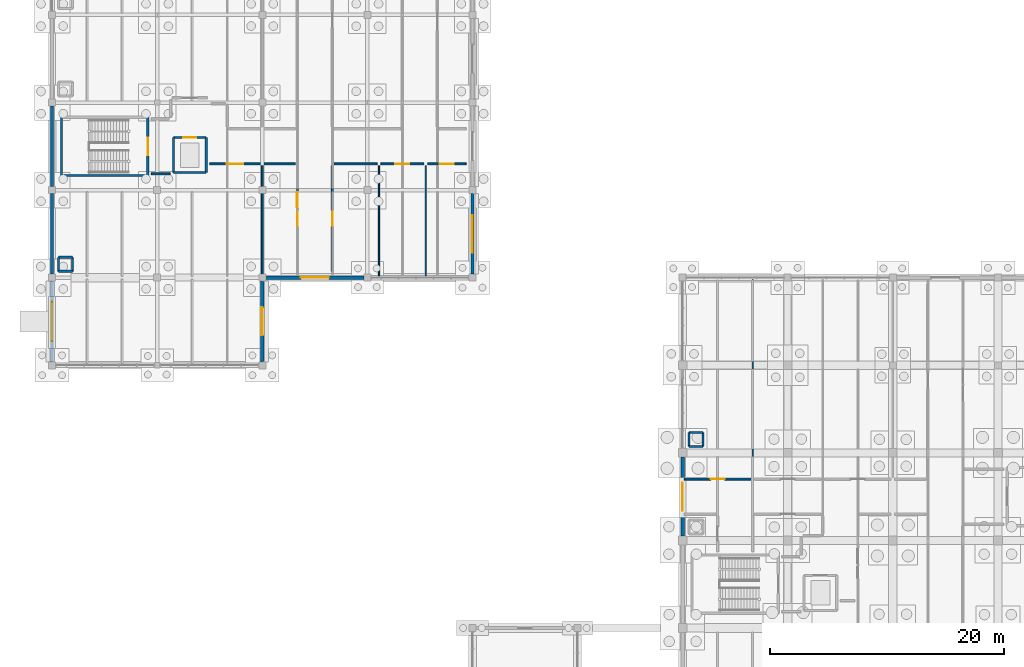
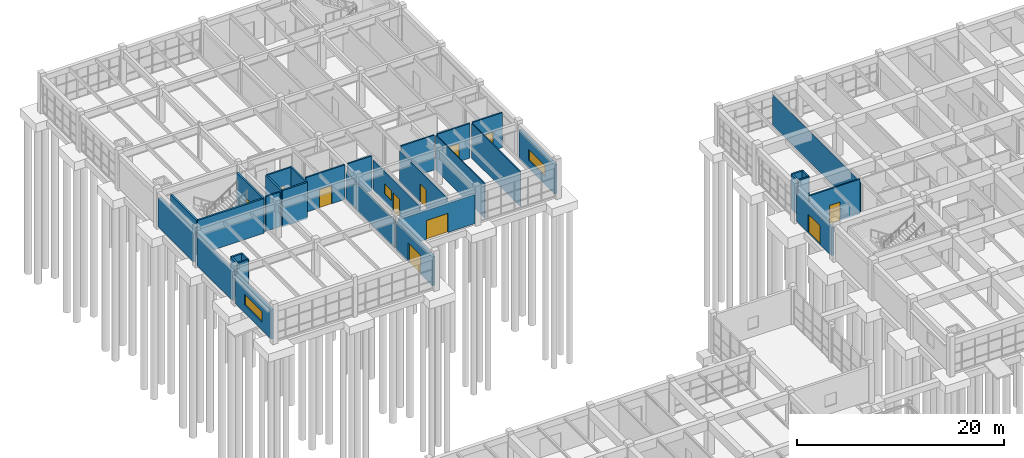
# One storey, part 84 of 93: 35 walls, 11 doors, 3 windows, 14 openings.
"""IFC4 building model written with IfcOpenShell, lengths in metres."""

from ifc_helpers import new_model, si_unit, direction, frame, frame_2d, origin, place, context, subcontext, project, spatial, rectangle, extrude, material, layer, layer_set, type_object, element, fill, save


model = new_model("IFC4")

# Units and contexts
model_context = context("Model", 3, precision=1e-05, world=origin(), true_north=direction((0.0, 1.0)))
body_context = subcontext(model_context, "Body", "Model", "MODEL_VIEW")
ifc_project = project(units=[si_unit("LENGTHUNIT", "METRE"), si_unit("AREAUNIT", "SQUARE_METRE"), si_unit("VOLUMEUNIT", "CUBIC_METRE"), si_unit("PLANEANGLEUNIT", "RADIAN"), si_unit("MASSUNIT", "GRAM", prefix="KILO")], contexts=[model_context])

# Site, building, storey
site_placement = place(None, origin())
site = spatial("IfcSite", under=ifc_project, at=site_placement, CompositionType="ELEMENT")
building_placement = place(site_placement, origin())
building = spatial("IfcBuilding", under=site, at=building_placement, Name="Marnridge Secondary College", CompositionType="ELEMENT")
storey_placement = place(building_placement, origin())
storey = spatial("IfcBuildingStorey", under=building, at=storey_placement, Name="L00", CompositionType="ELEMENT", Elevation=0.0)

# Wall
ifc_material_1 = material(Name="Concrete C40/50 (AS 3600 N40, 40 MPa)", Category="concrete")
ifc_layer_1 = layer(ifc_material_1, 0.199951171875)
ifc_layer_set_1 = layer_set([ifc_layer_1], Name="WT-CORE-RC200")
wall_type_1 = type_object("IfcWallType", Name="WT-CORE-RC200", PredefinedType="SHEAR", material=ifc_layer_set_1)
wall_1_placement = place(storey_placement, frame((0.800048828125, 91.25, 0.0), z_axis=(0.0, 0.0, 1.0), x_axis=(1.0, 0.0, 0.0)))
element("IfcWall", 1, at=wall_1_placement, inside=storey, type_object=wall_type_1, Name="Stair core shear wall WC-L00-0337", PredefinedType="SHEAR", context=body_context, shape_type="SweptSolid", body=[
    extrude(rectangle(XDim=7.39990234375, YDim=0.199951171875, at=frame_2d((3.699951171875, 0.0))), origin(), (0.0, 0.0, 1.0), 4.10009765625),
])

# Wall, opening, door
wall_2_placement = place(storey_placement, frame((8.199951171875, 96.25, 0.0), z_axis=(0.0, 0.0, 1.0), x_axis=(0.0, -1.0, 0.0)))
wall_2 = element("IfcWall", 2, at=wall_2_placement, inside=storey, type_object=wall_type_1, Name="Stair core shear wall WC-L00-0338", PredefinedType="SHEAR", context=body_context, shape_type="SweptSolid", body=[
    extrude(rectangle(XDim=5.0, YDim=0.199951171875, at=frame_2d((2.5, 0.0))), origin(), (0.0, 0.0, 1.0), 4.10009765625),
])
opening_1_placement = place(wall_2_placement, frame((1.75, 0.0, 0.0)))
opening_1 = element("IfcOpeningElement", 3, at=opening_1_placement, cuts=wall_2, Name="Opening DC-L00-023", PredefinedType="OPENING", context=body_context, shape_type="SweptSolid", body=[
    extrude(rectangle(XDim=1.5, YDim=2.14990234375, at=frame_2d((0.75, 1.074951171875))), frame((0.0, 0.10986328125, 0.0), z_axis=(0.0, -1.0, 0.0), x_axis=(1.0, 0.0, 0.0)), (0.0, 0.0, 1.0), 0.219970703125),
])
ifc_material_2 = material(Name="Fire-rated solid-core timber doorset", Category="wood")
door_type_1 = type_object("IfcDoorType", Name="DT-CORE-FD150", OperationType="DOUBLE_DOOR_SINGLE_SWING", PredefinedType="DOOR", material=ifc_material_2)
door_1_placement = place(opening_1_placement, origin())
door_1 = element("IfcDoor", 4, at=door_1_placement, inside=storey, type_object=door_type_1, Name="Fire stair door DC-L00-023", OperationType="DOUBLE_DOOR_SINGLE_SWING", OverallHeight=2.14990234375, OverallWidth=1.5, PredefinedType="DOOR", context=body_context, shape_type="SweptSolid", body=[
    extrude(rectangle(XDim=1.5, YDim=2.14990234375, at=frame_2d((0.75, 1.074951171875))), frame((0.0, 0.02490234375, 0.0), z_axis=(0.0, -1.0, 0.0), x_axis=(1.0, 0.0, 0.0)), (0.0, 0.0, 1.0), 0.050048828125),
])
fill(opening_1, door_1)

# Wall
wall_3_placement = place(storey_placement, frame((0.800048828125, 96.25, 0.0), z_axis=(0.0, 0.0, 1.0), x_axis=(0.0, -1.0, 0.0)))
element("IfcWall", 5, at=wall_3_placement, inside=storey, type_object=wall_type_1, Name="Stair core shear wall WC-L00-0340", PredefinedType="SHEAR", context=body_context, shape_type="SweptSolid", body=[
    extrude(rectangle(XDim=5.0, YDim=0.199951171875, at=frame_2d((2.5, 0.0))), origin(), (0.0, 0.0, 1.0), 4.10009765625),
])

# Wall, opening, door
ifc_material_3 = material(Name="Concrete C40/50 (AS 3600 N40, 40 MPa)", Category="concrete")
ifc_layer_2 = layer(ifc_material_3, 0.280029296875)
ifc_layer_set_2 = layer_set([ifc_layer_2], Name="WT-EXT-RC280")
wall_type_2 = type_object("IfcWallType", Name="WT-EXT-RC280", PredefinedType="SOLIDWALL", material=ifc_layer_set_2)
wall_4_placement = place(storey_placement, frame((54.0, 60.37109375, 0.0), z_axis=(0.0, 0.0, 1.0), x_axis=(0.0, 1.0, 0.0)))
wall_4 = element("IfcWall", 6, at=wall_4_placement, inside=storey, type_object=wall_type_2, Name="Exterior wall WE-L00-0012", PredefinedType="SOLIDWALL", context=body_context, shape_type="SweptSolid", body=[
    extrude(rectangle(XDim=6.7578125, YDim=0.280029296875, at=frame_2d((3.37890625, 0.0))), origin(), (0.0, 0.0, 1.0), 3.322021484375),
])
opening_2_placement = place(wall_4_placement, frame((2.178955078125, 0.0, 0.0)))
opening_2 = element("IfcOpeningElement", 7, at=opening_2_placement, cuts=wall_4, Name="Opening DE-L00-005", PredefinedType="OPENING", context=body_context, shape_type="SweptSolid", body=[
    extrude(rectangle(XDim=2.39990234375, YDim=2.199951171875, at=frame_2d((1.199951171875, 1.10009765625))), frame((0.0, 0.14990234375, 0.0), z_axis=(0.0, -1.0, 0.0), x_axis=(1.0, 0.0, 0.0)), (0.0, 0.0, 1.0), 0.300048828125),
])
ifc_material_4 = material(Name="Galvanised steel Grade 350 fire-exit doorset", Category="steel")
door_type_2 = type_object("IfcDoorType", Name="DT-EXT-STAIR240", OperationType="DOUBLE_DOOR_SINGLE_SWING", PredefinedType="DOOR", material=ifc_material_4)
door_2_placement = place(opening_2_placement, origin())
door_2 = element("IfcDoor", 8, at=door_2_placement, inside=storey, type_object=door_type_2, Name="Final exit stair door DE-L00-005", OperationType="DOUBLE_DOOR_SINGLE_SWING", OverallHeight=2.199951171875, OverallWidth=2.39990234375, PredefinedType="DOOR", context=body_context, shape_type="SweptSolid", body=[
    extrude(rectangle(XDim=2.39990234375, YDim=2.199951171875, at=frame_2d((1.199951171875, 1.10009765625))), frame((0.0, 0.02490234375, 0.0), z_axis=(0.0, -1.0, 0.0), x_axis=(1.0, 0.0, 0.0)), (0.0, 0.0, 1.0), 0.050048828125),
])
fill(opening_2, door_2)

# Wall, opening, window
wall_5_placement = place(storey_placement, frame((36.0, 89.7041015625, 0.0), z_axis=(0.0, 0.0, 1.0), x_axis=(0.0, -1.0, 0.0)))
wall_5 = element("IfcWall", 9, at=wall_5_placement, inside=storey, type_object=wall_type_2, Name="Exterior wall WE-L00-0060", PredefinedType="SOLIDWALL", context=body_context, shape_type="SweptSolid", body=[
    extrude(rectangle(XDim=6.908203125, YDim=0.280029296875, at=frame_2d((3.4541015625, 0.0))), origin(), (0.0, 0.0, 1.0), 3.44189453125),
])
opening_3_placement = place(wall_5_placement, frame((1.833984375, 0.0, 0.949951171875)))
opening_3 = element("IfcOpeningElement", 10, at=opening_3_placement, cuts=wall_5, Name="Opening WN-L00-0021", PredefinedType="OPENING", context=body_context, shape_type="SweptSolid", body=[
    extrude(rectangle(XDim=3.239990234375, YDim=1.300048828125, at=frame_2d((1.6201171875, 0.64990234375))), frame((0.0, 0.14990234375, 0.0), z_axis=(0.0, -1.0, 0.0), x_axis=(1.0, 0.0, 0.0)), (0.0, 0.0, 1.0), 0.300048828125),
])
ifc_material_5 = material(Name="Solar-control low-E double glazing", Category="glass")
window_type_1 = type_object("IfcWindowType", Name="WN-EXT-V21", PartitioningType="DOUBLE_PANEL_VERTICAL", PredefinedType="WINDOW", material=ifc_material_5)
window_1_placement = place(opening_3_placement, origin())
window_1 = element("IfcWindow", 11, at=window_1_placement, inside=storey, type_object=window_type_1, Name="Facade window WN-L00-0021", OverallHeight=1.300048828125, OverallWidth=3.239990234375, PartitioningType="DOUBLE_PANEL_VERTICAL", PredefinedType="WINDOW", context=body_context, shape_type="SweptSolid", body=[
    extrude(rectangle(XDim=3.239990234375, YDim=1.300048828125, at=frame_2d((1.6201171875, 0.64990234375))), frame((0.0, 0.030029296875, 0.0), z_axis=(0.0, -1.0, 0.0), x_axis=(1.0, 0.0, 0.0)), (0.0, 0.0, 1.0), 0.06005859375),
])
fill(opening_3, window_1)

# Wall, opening, door
wall_6_placement = place(storey_placement, frame((26.7041015625, 82.5, 0.0), z_axis=(0.0, 0.0, 1.0), x_axis=(-1.0, 0.0, 0.0)))
wall_6 = element("IfcWall", 12, at=wall_6_placement, inside=storey, type_object=wall_type_2, Name="Exterior wall WE-L00-0061", PredefinedType="SOLIDWALL", context=body_context, shape_type="SweptSolid", body=[
    extrude(rectangle(XDim=8.408203125, YDim=0.280029296875, at=frame_2d((4.2041015625, 0.0))), origin(), (0.0, 0.0, 1.0), 3.44189453125),
])
opening_4_placement = place(wall_6_placement, frame((3.00390625, 0.0, 0.0)))
opening_4 = element("IfcOpeningElement", 13, at=opening_4_placement, cuts=wall_6, Name="Opening DE-L00-020", PredefinedType="OPENING", context=body_context, shape_type="SweptSolid", body=[
    extrude(rectangle(XDim=2.39990234375, YDim=2.25, at=frame_2d((1.199951171875, 1.125))), frame((0.0, 0.14990234375, 0.0), z_axis=(0.0, -1.0, 0.0), x_axis=(1.0, 0.0, 0.0)), (0.0, 0.0, 1.0), 0.300048828125),
])
ifc_material_6 = material(Name="Thermally broken aluminium and toughened glass", Category="aluminium")
door_type_3 = type_object("IfcDoorType", Name="DT-EXT-EXIT240", OperationType="DOUBLE_DOOR_SINGLE_SWING", PredefinedType="DOOR", material=ifc_material_6)
door_3_placement = place(opening_4_placement, origin())
door_3 = element("IfcDoor", 14, at=door_3_placement, inside=storey, type_object=door_type_3, Name="Civic entrance exit door DE-L00-020", OperationType="DOUBLE_DOOR_SINGLE_SWING", OverallHeight=2.25, OverallWidth=2.39990234375, PredefinedType="DOOR", context=body_context, shape_type="SweptSolid", body=[
    extrude(rectangle(XDim=2.39990234375, YDim=2.25, at=frame_2d((1.199951171875, 1.125))), frame((0.0, 0.02490234375, 0.0), z_axis=(0.0, -1.0, 0.0), x_axis=(1.0, 0.0, 0.0)), (0.0, 0.0, 1.0), 0.050048828125),
])
fill(opening_4, door_3)

wall_7_placement = place(storey_placement, frame((18.0, 82.2041015625, 0.0), z_axis=(0.0, 0.0, 1.0), x_axis=(0.0, -1.0, 0.0)))
wall_7 = element("IfcWall", 15, at=wall_7_placement, inside=storey, type_object=wall_type_2, Name="Exterior wall WE-L00-0062", PredefinedType="SOLIDWALL", context=body_context, shape_type="SweptSolid", body=[
    extrude(rectangle(XDim=6.908203125, YDim=0.280029296875, at=frame_2d((3.4541015625, 0.0))), origin(), (0.0, 0.0, 1.0), 3.44189453125),
])
opening_5_placement = place(wall_7_placement, frame((2.25390625, 0.0, 0.0)))
opening_5 = element("IfcOpeningElement", 16, at=opening_5_placement, cuts=wall_7, Name="Opening DE-L00-021", PredefinedType="OPENING", context=body_context, shape_type="SweptSolid", body=[
    extrude(rectangle(XDim=2.39990234375, YDim=2.25, at=frame_2d((1.199951171875, 1.125))), frame((0.0, 0.14990234375, 0.0), z_axis=(0.0, -1.0, 0.0), x_axis=(1.0, 0.0, 0.0)), (0.0, 0.0, 1.0), 0.300048828125),
])
door_4_placement = place(opening_5_placement, origin())
door_4 = element("IfcDoor", 17, at=door_4_placement, inside=storey, type_object=door_type_3, Name="Civic entrance exit door DE-L00-021", OperationType="DOUBLE_DOOR_SINGLE_SWING", OverallHeight=2.25, OverallWidth=2.39990234375, PredefinedType="DOOR", context=body_context, shape_type="SweptSolid", body=[
    extrude(rectangle(XDim=2.39990234375, YDim=2.25, at=frame_2d((1.199951171875, 1.125))), frame((0.0, 0.02490234375, 0.0), z_axis=(0.0, -1.0, 0.0), x_axis=(1.0, 0.0, 0.0)), (0.0, 0.0, 1.0), 0.050048828125),
])
fill(opening_5, door_4)

# Wall, opening, window
wall_8_placement = place(storey_placement, frame((0.0, 75.2958984375, 0.0), z_axis=(0.0, 0.0, 1.0), x_axis=(0.0, 1.0, 0.0)))
wall_8 = element("IfcWall", 18, at=wall_8_placement, inside=storey, type_object=wall_type_2, Name="Exterior wall WE-L00-0063", PredefinedType="SOLIDWALL", context=body_context, shape_type="SweptSolid", body=[
    extrude(rectangle(XDim=6.908203125, YDim=0.280029296875, at=frame_2d((3.4541015625, 0.0))), origin(), (0.0, 0.0, 1.0), 3.44189453125),
])
opening_6_placement = place(wall_8_placement, frame((1.77392578125, 0.0, 0.949951171875)))
opening_6 = element("IfcOpeningElement", 19, at=opening_6_placement, cuts=wall_8, Name="Opening WN-L00-0022", PredefinedType="OPENING", context=body_context, shape_type="SweptSolid", body=[
    extrude(rectangle(XDim=3.360107421875, YDim=1.260009765625, at=frame_2d((1.68017578125, 0.6298828125))), frame((0.0, 0.14990234375, 0.0), z_axis=(0.0, -1.0, 0.0), x_axis=(1.0, 0.0, 0.0)), (0.0, 0.0, 1.0), 0.300048828125),
])
ifc_material_7 = material(Name="Solar-control low-E double glazing", Category="glass")
window_type_2 = type_object("IfcWindowType", Name="WN-EXT-V22", PartitioningType="DOUBLE_PANEL_VERTICAL", PredefinedType="WINDOW", material=ifc_material_7)
window_2_placement = place(opening_6_placement, origin())
window_2 = element("IfcWindow", 20, at=window_2_placement, inside=storey, type_object=window_type_2, Name="Facade window WN-L00-0022", OverallHeight=1.260009765625, OverallWidth=3.360107421875, PartitioningType="DOUBLE_PANEL_VERTICAL", PredefinedType="WINDOW", context=body_context, shape_type="SweptSolid", body=[
    extrude(rectangle(XDim=3.360107421875, YDim=1.260009765625, at=frame_2d((1.68017578125, 0.6298828125))), frame((0.0, 0.030029296875, 0.0), z_axis=(0.0, -1.0, 0.0), x_axis=(1.0, 0.0, 0.0)), (0.0, 0.0, 1.0), 0.06005859375),
])
fill(opening_6, window_2)

# Walls
for number, where, z_axis, x_axis, name in (
    (21, (0.0, 82.7958984375, 0.0), (0.0, 0.0, 1.0), (0.0, 1.0, 0.0), "Exterior wall WE-L00-0064"),
    (22, (0.0, 90.2958984375, 0.0), (0.0, 0.0, 1.0), (0.0, 1.0, 0.0), "Exterior wall WE-L00-0065"),
):
    element("IfcWall", number, at=place(storey_placement, frame(where, z_axis=z_axis, x_axis=x_axis)), inside=storey, type_object=wall_type_2, Name=name, PredefinedType="SOLIDWALL", context=body_context, shape_type="SweptSolid", body=[
        extrude(rectangle(XDim=6.908203125, YDim=0.280029296875, at=frame_2d((3.4541015625, 0.0))), origin(), (0.0, 0.0, 1.0), 3.44189453125),
    ])
ifc_material_8 = material(Name="Acoustic plasterboard partition Rw48", Category="gypsum")
ifc_layer_3 = layer(ifc_material_8, 0.135009765625)
ifc_layer_set_3 = layer_set([ifc_layer_3], Name="WT-PART-AC135")
wall_type_3 = type_object("IfcWallType", Name="WT-PART-AC135", PredefinedType="PARTITIONING", material=ifc_layer_set_3)
wall_9_placement = place(storey_placement, frame((18.0, 82.659912109375, 0.0), z_axis=(0.0, 0.0, 1.0), x_axis=(0.0, 1.0, 0.0)))
element("IfcWall", 23, at=wall_9_placement, inside=storey, type_object=wall_type_3, Name="Interior partition WP-L00-0092", PredefinedType="PARTITIONING", context=body_context, shape_type="SweptSolid", body=[
    extrude(rectangle(XDim=9.43017578125, YDim=0.135009765625, at=frame_2d((4.715087890625, 0.0))), origin(), (0.0, 0.0, 1.0), 3.19189453125),
])

# Wall, opening, door
ifc_material_9 = material(Name="Acoustic plasterboard on twin steel Grade 350 framing Rw55", Category="steel")
ifc_layer_4 = layer(ifc_material_9, 0.1650390625)
ifc_layer_set_4 = layer_set([ifc_layer_4], Name="WT-PART-AC165")
wall_type_4 = type_object("IfcWallType", Name="WT-PART-AC165", PredefinedType="PARTITIONING", material=ifc_layer_set_4)
wall_10_placement = place(storey_placement, frame((54.159912109375, 65.25, 0.0), z_axis=(0.0, 0.0, 1.0), x_axis=(1.0, 0.0, 0.0)))
wall_10 = element("IfcWall", 24, at=wall_10_placement, inside=storey, type_object=wall_type_4, Name="Interior partition WP-L00-0002", PredefinedType="PARTITIONING", context=body_context, shape_type="SweptSolid", body=[
    extrude(rectangle(XDim=5.68017578125, YDim=0.1650390625, at=frame_2d((2.840087890625, 0.0))), origin(), (0.0, 0.0, 1.0), 4.080078125),
])
opening_7_placement = place(wall_10_placement, frame((2.239990234375, 0.0, 0.0)))
opening_7 = element("IfcOpeningElement", 25, at=opening_7_placement, cuts=wall_10, Name="Opening DI-L00-0001", PredefinedType="OPENING", context=body_context, shape_type="SweptSolid", body=[
    extrude(rectangle(XDim=1.199951171875, YDim=2.14990234375, at=frame_2d((0.60009765625, 1.074951171875))), frame((0.0, 0.092529296875, 0.0), z_axis=(0.0, -1.0, 0.0), x_axis=(1.0, 0.0, 0.0)), (0.0, 0.0, 1.0), 0.18505859375),
])
ifc_material_10 = material(Name="Galvanised steel Grade 350 plant-room fire doorset", Category="steel")
door_type_4 = type_object("IfcDoorType", Name="DT-PLT-120", OperationType="NOTDEFINED", PredefinedType="DOOR", material=ifc_material_10)
door_5_placement = place(opening_7_placement, origin())
door_5 = element("IfcDoor", 26, at=door_5_placement, inside=storey, type_object=door_type_4, Name="Interior door DI-L00-0001", OperationType="SINGLE_SWING_LEFT", OverallHeight=2.14990234375, OverallWidth=1.199951171875, PredefinedType="DOOR", context=body_context, shape_type="SweptSolid", body=[
    extrude(rectangle(XDim=1.199951171875, YDim=2.14990234375, at=frame_2d((0.60009765625, 1.074951171875))), frame((0.0, 0.02490234375, 0.0), z_axis=(0.0, -1.0, 0.0), x_axis=(1.0, 0.0, 0.0)), (0.0, 0.0, 1.0), 0.050048828125),
])
fill(opening_7, door_5)

wall_11_placement = place(storey_placement, frame((24.0, 92.090087890625, 0.0), z_axis=(0.0, 0.0, 1.0), x_axis=(0.0, -1.0, 0.0)))
wall_11 = element("IfcWall", 27, at=wall_11_placement, inside=storey, type_object=wall_type_4, Name="Interior partition WP-L00-0068", PredefinedType="PARTITIONING", context=body_context, shape_type="SweptSolid", body=[
    extrude(rectangle(XDim=9.046875, YDim=0.1650390625, at=frame_2d((4.5234375, 0.0))), origin(), (0.0, 0.0, 1.0), 3.64208984375),
])
opening_8_placement = place(wall_11_placement, frame((3.923583984375, 0.0, 0.0)))
opening_8 = element("IfcOpeningElement", 28, at=opening_8_placement, cuts=wall_11, Name="Opening DI-L00-0024", PredefinedType="OPENING", context=body_context, shape_type="SweptSolid", body=[
    extrude(rectangle(XDim=1.199951171875, YDim=2.14990234375, at=frame_2d((0.60009765625, 1.074951171875))), frame((0.0, 0.092529296875, 0.0), z_axis=(0.0, -1.0, 0.0), x_axis=(1.0, 0.0, 0.0)), (0.0, 0.0, 1.0), 0.18505859375),
])
door_6_placement = place(opening_8_placement, origin())
door_6 = element("IfcDoor", 29, at=door_6_placement, inside=storey, type_object=door_type_4, Name="Interior door DI-L00-0024", OperationType="SINGLE_SWING_RIGHT", OverallHeight=2.14990234375, OverallWidth=1.199951171875, PredefinedType="DOOR", context=body_context, shape_type="SweptSolid", body=[
    extrude(rectangle(XDim=1.199951171875, YDim=2.14990234375, at=frame_2d((0.60009765625, 1.074951171875))), frame((0.0, 0.02490234375, 0.0), z_axis=(0.0, -1.0, 0.0), x_axis=(1.0, 0.0, 0.0)), (0.0, 0.0, 1.0), 0.050048828125),
])
fill(opening_8, door_6)

# Wall
wall_12_placement = place(storey_placement, frame((27.840087890625, 92.25, 0.0), z_axis=(0.0, 0.0, 1.0), x_axis=(-1.0, 0.0, 0.0)))
element("IfcWall", 30, at=wall_12_placement, inside=storey, type_object=wall_type_4, Name="Interior partition WP-L00-0069", PredefinedType="PARTITIONING", context=body_context, shape_type="SweptSolid", body=[
    extrude(rectangle(XDim=3.68017578125, YDim=0.1650390625, at=frame_2d((1.840087890625, 0.0))), origin(), (0.0, 0.0, 1.0), 4.10009765625),
])

# Wall, opening, door
wall_13_placement = place(storey_placement, frame((31.840087890625, 92.25, 0.0), z_axis=(0.0, 0.0, 1.0), x_axis=(-1.0, 0.0, 0.0)))
wall_13 = element("IfcWall", 31, at=wall_13_placement, inside=storey, type_object=wall_type_4, Name="Interior partition WP-L00-0071", PredefinedType="PARTITIONING", context=body_context, shape_type="SweptSolid", body=[
    extrude(rectangle(XDim=3.68017578125, YDim=0.1650390625, at=frame_2d((1.840087890625, 0.0))), origin(), (0.0, 0.0, 1.0), 4.10009765625),
])
opening_9_placement = place(wall_13_placement, frame((1.239990234375, 0.0, 0.0)))
opening_9 = element("IfcOpeningElement", 32, at=opening_9_placement, cuts=wall_13, Name="Opening DI-L00-0025", PredefinedType="OPENING", context=body_context, shape_type="SweptSolid", body=[
    extrude(rectangle(XDim=1.199951171875, YDim=2.14990234375, at=frame_2d((0.60009765625, 1.074951171875))), frame((0.0, 0.092529296875, 0.0), z_axis=(0.0, -1.0, 0.0), x_axis=(1.0, 0.0, 0.0)), (0.0, 0.0, 1.0), 0.18505859375),
])
door_7_placement = place(opening_9_placement, origin())
door_7 = element("IfcDoor", 33, at=door_7_placement, inside=storey, type_object=door_type_4, Name="Interior door DI-L00-0025", OperationType="SINGLE_SWING_LEFT", OverallHeight=2.14990234375, OverallWidth=1.199951171875, PredefinedType="DOOR", context=body_context, shape_type="SweptSolid", body=[
    extrude(rectangle(XDim=1.199951171875, YDim=2.14990234375, at=frame_2d((0.60009765625, 1.074951171875))), frame((0.0, 0.02490234375, 0.0), z_axis=(0.0, -1.0, 0.0), x_axis=(1.0, 0.0, 0.0)), (0.0, 0.0, 1.0), 0.050048828125),
])
fill(opening_9, door_7)

wall_14_placement = place(storey_placement, frame((35.456787109375, 92.25, 0.0), z_axis=(0.0, 0.0, 1.0), x_axis=(-1.0, 0.0, 0.0)))
wall_14 = element("IfcWall", 34, at=wall_14_placement, inside=storey, type_object=wall_type_4, Name="Interior partition WP-L00-0072", PredefinedType="PARTITIONING", context=body_context, shape_type="SweptSolid", body=[
    extrude(rectangle(XDim=3.296875, YDim=0.1650390625, at=frame_2d((1.6484375, 0.0))), origin(), (0.0, 0.0, 1.0), 4.10009765625),
])
opening_10_placement = place(wall_14_placement, frame((1.048583984375, 0.0, 0.0)))
opening_10 = element("IfcOpeningElement", 35, at=opening_10_placement, cuts=wall_14, Name="Opening DI-L00-0026", PredefinedType="OPENING", context=body_context, shape_type="SweptSolid", body=[
    extrude(rectangle(XDim=1.199951171875, YDim=2.14990234375, at=frame_2d((0.60009765625, 1.074951171875))), frame((0.0, 0.092529296875, 0.0), z_axis=(0.0, -1.0, 0.0), x_axis=(1.0, 0.0, 0.0)), (0.0, 0.0, 1.0), 0.18505859375),
])
door_8_placement = place(opening_10_placement, origin())
door_8 = element("IfcDoor", 36, at=door_8_placement, inside=storey, type_object=door_type_4, Name="Interior door DI-L00-0026", OperationType="SINGLE_SWING_RIGHT", OverallHeight=2.14990234375, OverallWidth=1.199951171875, PredefinedType="DOOR", context=body_context, shape_type="SweptSolid", body=[
    extrude(rectangle(XDim=1.199951171875, YDim=2.14990234375, at=frame_2d((0.60009765625, 1.074951171875))), frame((0.0, 0.02490234375, 0.0), z_axis=(0.0, -1.0, 0.0), x_axis=(1.0, 0.0, 0.0)), (0.0, 0.0, 1.0), 0.050048828125),
])
fill(opening_10, door_8)

wall_15_placement = place(storey_placement, frame((17.840087890625, 92.25, 0.0), z_axis=(0.0, 0.0, 1.0), x_axis=(-1.0, 0.0, 0.0)))
wall_15 = element("IfcWall", 37, at=wall_15_placement, inside=storey, type_object=wall_type_4, Name="Interior partition WP-L00-0073", PredefinedType="PARTITIONING", context=body_context, shape_type="SweptSolid", body=[
    extrude(rectangle(XDim=4.340087890625, YDim=0.1650390625, at=frame_2d((2.169921875, 0.0))), origin(), (0.0, 0.0, 1.0), 4.10009765625),
])
opening_11_placement = place(wall_15_placement, frame((1.469970703125, 0.0, 0.0)))
opening_11 = element("IfcOpeningElement", 38, at=opening_11_placement, cuts=wall_15, Name="Opening DI-L00-0027", PredefinedType="OPENING", context=body_context, shape_type="SweptSolid", body=[
    extrude(rectangle(XDim=1.39990234375, YDim=2.14990234375, at=frame_2d((0.699951171875, 1.074951171875))), frame((0.0, 0.092529296875, 0.0), z_axis=(0.0, -1.0, 0.0), x_axis=(1.0, 0.0, 0.0)), (0.0, 0.0, 1.0), 0.18505859375),
])
ifc_material_11 = material(Name="Laboratory leaf-and-a-half vision-panel doorset", Category="wood")
door_type_5 = type_object("IfcDoorType", Name="DT-LAB-140", OperationType="DOUBLE_DOOR_SINGLE_SWING", PredefinedType="DOOR", material=ifc_material_11)
door_9_placement = place(opening_11_placement, origin())
door_9 = element("IfcDoor", 39, at=door_9_placement, inside=storey, type_object=door_type_5, Name="Interior door DI-L00-0027", OperationType="DOUBLE_DOOR_SINGLE_SWING", OverallHeight=2.14990234375, OverallWidth=1.39990234375, PredefinedType="DOOR", context=body_context, shape_type="SweptSolid", body=[
    extrude(rectangle(XDim=1.39990234375, YDim=2.14990234375, at=frame_2d((0.699951171875, 1.074951171875))), frame((0.0, 0.02490234375, 0.0), z_axis=(0.0, -1.0, 0.0), x_axis=(1.0, 0.0, 0.0)), (0.0, 0.0, 1.0), 0.050048828125),
])
fill(opening_11, door_9)

# Wall
wall_16_placement = place(storey_placement, frame((10.10009765625, 91.39990234375, 0.0), z_axis=(0.0, 0.0, 1.0), x_axis=(-1.0, 0.0, 0.0)))
element("IfcWall", 40, at=wall_16_placement, inside=storey, type_object=wall_type_4, Name="Interior partition WP-L00-0074", PredefinedType="PARTITIONING", context=body_context, shape_type="SweptSolid", body=[
    extrude(rectangle(XDim=1.60009765625, YDim=0.1650390625, at=frame_2d((0.800048828125, 0.0))), origin(), (0.0, 0.0, 1.0), 4.10009765625),
])

# Wall, openings, door, window
wall_17_placement = place(storey_placement, frame((21.0, 83.043212890625, 0.0), z_axis=(0.0, 0.0, 1.0), x_axis=(0.0, 1.0, 0.0)))
wall_17 = element("IfcWall", 41, at=wall_17_placement, inside=storey, type_object=wall_type_4, Name="Interior partition WP-L00-0075", PredefinedType="PARTITIONING", context=body_context, shape_type="SweptSolid", body=[
    extrude(rectangle(XDim=9.046875, YDim=0.1650390625, at=frame_2d((4.5234375, 0.0))), origin(), (0.0, 0.0, 1.0), 3.64208984375),
])
opening_12_placement = place(wall_17_placement, frame((3.923583984375, 0.0, 0.0)))
opening_12 = element("IfcOpeningElement", 42, at=opening_12_placement, cuts=wall_17, Name="Opening DI-L00-0028", PredefinedType="OPENING", context=body_context, shape_type="SweptSolid", body=[
    extrude(rectangle(XDim=1.199951171875, YDim=2.14990234375, at=frame_2d((0.60009765625, 1.074951171875))), frame((0.0, 0.092529296875, 0.0), z_axis=(0.0, -1.0, 0.0), x_axis=(1.0, 0.0, 0.0)), (0.0, 0.0, 1.0), 0.18505859375),
])
opening_13_placement = place(wall_17_placement, frame((5.473388671875, 0.0, 1.02001953125)))
opening_13 = element("IfcOpeningElement", 43, at=opening_13_placement, cuts=wall_17, Name="Opening WNI-L00-005", PredefinedType="OPENING", context=body_context, shape_type="SweptSolid", body=[
    extrude(rectangle(XDim=1.300048828125, YDim=1.179931640625, at=frame_2d((0.64990234375, 0.58984375))), frame((0.0, 0.092529296875, 0.0), z_axis=(0.0, -1.0, 0.0), x_axis=(1.0, 0.0, 0.0)), (0.0, 0.0, 1.0), 0.18505859375),
])
door_10_placement = place(opening_12_placement, origin())
door_10 = element("IfcDoor", 44, at=door_10_placement, inside=storey, type_object=door_type_4, Name="Interior door DI-L00-0028", OperationType="SINGLE_SWING_RIGHT", OverallHeight=2.14990234375, OverallWidth=1.199951171875, PredefinedType="DOOR", context=body_context, shape_type="SweptSolid", body=[
    extrude(rectangle(XDim=1.199951171875, YDim=2.14990234375, at=frame_2d((0.60009765625, 1.074951171875))), frame((0.0, 0.02490234375, 0.0), z_axis=(0.0, -1.0, 0.0), x_axis=(1.0, 0.0, 0.0)), (0.0, 0.0, 1.0), 0.050048828125),
])
fill(opening_12, door_10)
ifc_material_12 = material(Name="Acoustic laminated interior vision glazing", Category="glass")
window_type_3 = type_object("IfcWindowType", Name="WN-BL-VAR05", PartitioningType="DOUBLE_PANEL_VERTICAL", PredefinedType="WINDOW", material=ifc_material_12)
window_3_placement = place(opening_13_placement, origin())
window_3 = element("IfcWindow", 45, at=window_3_placement, inside=storey, type_object=window_type_3, Name="Interior vision window WNI-L00-005", OverallHeight=1.179931640625, OverallWidth=1.300048828125, PartitioningType="DOUBLE_PANEL_VERTICAL", PredefinedType="WINDOW", context=body_context, shape_type="SweptSolid", body=[
    extrude(rectangle(XDim=1.300048828125, YDim=1.179931640625, at=frame_2d((0.64990234375, 0.58984375))), frame((0.0, 0.030029296875, 0.0), z_axis=(0.0, -1.0, 0.0), x_axis=(1.0, 0.0, 0.0)), (0.0, 0.0, 1.0), 0.06005859375),
])
fill(opening_13, window_3)

# Walls
wall_18_placement = place(storey_placement, frame((20.840087890625, 92.25, 0.0), z_axis=(0.0, 0.0, 1.0), x_axis=(-1.0, 0.0, 0.0)))
element("IfcWall", 46, at=wall_18_placement, inside=storey, type_object=wall_type_4, Name="Interior partition WP-L00-0076", PredefinedType="PARTITIONING", context=body_context, shape_type="SweptSolid", body=[
    extrude(rectangle(XDim=2.68017578125, YDim=0.1650390625, at=frame_2d((1.340087890625, 0.0))), origin(), (0.0, 0.0, 1.0), 4.10009765625),
])
ifc_material_13 = material(Name="Moisture-resistant plasterboard sanitary partition", Category="gypsum")
ifc_layer_5 = layer(ifc_material_13, 0.110107421875)
ifc_layer_set_5 = layer_set([ifc_layer_5], Name="WT-PART-WT110")
wall_type_5 = type_object("IfcWallType", Name="WT-PART-WT110", PredefinedType="PARTITIONING", material=ifc_layer_set_5)
wall_19_placement = place(storey_placement, frame((60.0, 65.409912109375, 0.0), z_axis=(0.0, 0.0, 1.0), x_axis=(0.0, 1.0, 0.0)))
element("IfcWall", 47, at=wall_19_placement, inside=storey, type_object=wall_type_5, Name="Interior partition WP-L00-0001", PredefinedType="PARTITIONING", context=body_context, shape_type="SweptSolid", body=[
    extrude(rectangle(XDim=16.93017578125, YDim=0.110107421875, at=frame_2d((8.465087890625, 0.0))), origin(), (0.0, 0.0, 1.0), 3.6220703125),
])
for number, where, z_axis, x_axis, name in (
    (48, (28.0, 82.659912109375, 0.0), (0.0, 0.0, 1.0), (0.0, 1.0, 0.0), "Interior partition WP-L00-0067"),
    (49, (32.0, 82.659912109375, 0.0), (0.0, 0.0, 1.0), (0.0, 1.0, 0.0), "Interior partition WP-L00-0070"),
):
    element("IfcWall", number, at=place(storey_placement, frame(where, z_axis=z_axis, x_axis=x_axis)), inside=storey, type_object=wall_type_5, Name=name, PredefinedType="PARTITIONING", context=body_context, shape_type="SweptSolid", body=[
        extrude(rectangle(XDim=9.43017578125, YDim=0.110107421875, at=frame_2d((4.715087890625, 0.0))), origin(), (0.0, 0.0, 1.0), 4.10009765625),
    ])
ifc_material_14 = material(Name="Concrete C40/50 (AS 3600 N40, 40 MPa)", Category="concrete")
ifc_layer_6 = layer(ifc_material_14, 0.179931640625)
ifc_layer_set_6 = layer_set([ifc_layer_6], Name="WT-SHAFT-RC180")
wall_type_6 = type_object("IfcWallType", Name="WT-SHAFT-RC180", PredefinedType="SHEAR", material=ifc_layer_set_6)
for number, where, z_axis, x_axis, name in (
    (50, (55.75, 68.050048828125, 0.0), (0.0, 0.0, 1.0), (-1.0, 0.0, 0.0), "Service riser shaft wall WR-L00-0009"),
    (51, (54.550048828125, 68.050048828125, 0.0), (0.0, 0.0, 1.0), (0.0, 1.0, 0.0), "Service riser shaft wall WR-L00-0010"),
    (52, (54.550048828125, 69.25, 0.0), (0.0, 0.0, 1.0), (1.0, 0.0, 0.0), "Service riser shaft wall WR-L00-0011"),
    (53, (55.75, 69.25, 0.0), (0.0, 0.0, 1.0), (0.0, -1.0, 0.0), "Service riser shaft wall WR-L00-0012"),
):
    element("IfcWall", number, at=place(storey_placement, frame(where, z_axis=z_axis, x_axis=x_axis)), inside=storey, type_object=wall_type_6, Name=name, PredefinedType="SHEAR", context=body_context, shape_type="SweptSolid", body=[
        extrude(rectangle(XDim=1.199951171875, YDim=0.179931640625, at=frame_2d((0.60009765625, 0.0))), origin(), (0.0, 0.0, 1.0), 4.080078125),
    ])
for number, where, z_axis, x_axis, name in (
    (54, (1.75, 83.050048828125, 0.0), (0.0, 0.0, 1.0), (-1.0, 0.0, 0.0), "Service riser shaft wall WR-L00-0033"),
    (55, (0.550048828125, 83.050048828125, 0.0), (0.0, 0.0, 1.0), (0.0, 1.0, 0.0), "Service riser shaft wall WR-L00-0034"),
    (56, (0.550048828125, 84.25, 0.0), (0.0, 0.0, 1.0), (1.0, 0.0, 0.0), "Service riser shaft wall WR-L00-0035"),
    (57, (1.75, 84.25, 0.0), (0.0, 0.0, 1.0), (0.0, -1.0, 0.0), "Service riser shaft wall WR-L00-0036"),
):
    element("IfcWall", number, at=place(storey_placement, frame(where, z_axis=z_axis, x_axis=x_axis)), inside=storey, type_object=wall_type_6, Name=name, PredefinedType="SHEAR", context=body_context, shape_type="SweptSolid", body=[
        extrude(rectangle(XDim=1.199951171875, YDim=0.179931640625, at=frame_2d((0.60009765625, 0.0))), origin(), (0.0, 0.0, 1.0), 4.10009765625),
    ])
wall_20_placement = place(storey_placement, frame((13.199951171875, 91.5, -0.199951171875), z_axis=(0.0, 0.0, 1.0), x_axis=(-1.0, 0.0, 0.0)))
element("IfcWall", 58, at=wall_20_placement, inside=storey, type_object=wall_type_6, Name="Lift shaft wall WL-L00-0453", PredefinedType="SHEAR", context=body_context, shape_type="SweptSolid", body=[
    extrude(rectangle(XDim=2.800048828125, YDim=0.179931640625, at=frame_2d((1.39990234375, 0.0))), origin(), (0.0, 0.0, 1.0), 4.300048828125),
])
wall_21_placement = place(storey_placement, frame((10.39990234375, 91.5, -0.199951171875), z_axis=(0.0, 0.0, 1.0), x_axis=(0.0, 1.0, 0.0)))
element("IfcWall", 59, at=wall_21_placement, inside=storey, type_object=wall_type_6, Name="Lift shaft wall WL-L00-0454", PredefinedType="SHEAR", context=body_context, shape_type="SweptSolid", body=[
    extrude(rectangle(XDim=3.0, YDim=0.179931640625, at=frame_2d((1.5, 0.0))), origin(), (0.0, 0.0, 1.0), 4.300048828125),
])

# Wall, opening, door
wall_22_placement = place(storey_placement, frame((10.39990234375, 94.5, -0.199951171875), z_axis=(0.0, 0.0, 1.0), x_axis=(1.0, 0.0, 0.0)))
wall_22 = element("IfcWall", 60, at=wall_22_placement, inside=storey, type_object=wall_type_6, Name="Lift shaft wall WL-L00-0455", PredefinedType="SHEAR", context=body_context, shape_type="SweptSolid", body=[
    extrude(rectangle(XDim=2.800048828125, YDim=0.179931640625, at=frame_2d((1.39990234375, 0.0))), origin(), (0.0, 0.0, 1.0), 4.300048828125),
])
opening_14_placement = place(wall_22_placement, frame((0.85009765625, 0.0, 0.199951171875)))
opening_14 = element("IfcOpeningElement", 61, at=opening_14_placement, cuts=wall_22, Name="Opening LD-LC-03-L00", PredefinedType="OPENING", context=body_context, shape_type="SweptSolid", body=[
    extrude(rectangle(XDim=1.10009765625, YDim=2.14990234375, at=frame_2d((0.550048828125, 1.074951171875))), frame((0.0, 0.099853515625, 0.0), z_axis=(0.0, -1.0, 0.0), x_axis=(1.0, 0.0, 0.0)), (0.0, 0.0, 1.0), 0.199951171875),
])
ifc_material_15 = material(Name="Stainless steel Grade 350 automatic sliding lift landing doorset", Category="steel")
door_type_6 = type_object("IfcDoorType", Name="DT-LIFT-LD110", OperationType="SLIDING_TO_LEFT", PredefinedType="DOOR", material=ifc_material_15)
door_11_placement = place(opening_14_placement, origin())
door_11 = element("IfcDoor", 62, at=door_11_placement, inside=storey, type_object=door_type_6, Name="Sliding lift landing door LD-LC-03-L00", OperationType="SLIDING_TO_LEFT", OverallHeight=2.14990234375, OverallWidth=1.10009765625, PredefinedType="DOOR", context=body_context, shape_type="SweptSolid", body=[
    extrude(rectangle(XDim=1.10009765625, YDim=2.14990234375, at=frame_2d((0.550048828125, 1.074951171875))), frame((0.0, 0.02490234375, 0.0), z_axis=(0.0, -1.0, 0.0), x_axis=(1.0, 0.0, 0.0)), (0.0, 0.0, 1.0), 0.050048828125),
])
fill(opening_14, door_11)

# Wall
wall_23_placement = place(storey_placement, frame((13.199951171875, 94.5, -0.199951171875), z_axis=(0.0, 0.0, 1.0), x_axis=(0.0, -1.0, 0.0)))
element("IfcWall", 63, at=wall_23_placement, inside=storey, type_object=wall_type_6, Name="Lift shaft wall WL-L00-0456", PredefinedType="SHEAR", context=body_context, shape_type="SweptSolid", body=[
    extrude(rectangle(XDim=3.0, YDim=0.179931640625, at=frame_2d((1.5, 0.0))), origin(), (0.0, 0.0, 1.0), 4.300048828125),
])

save(model, "model.ifc")
